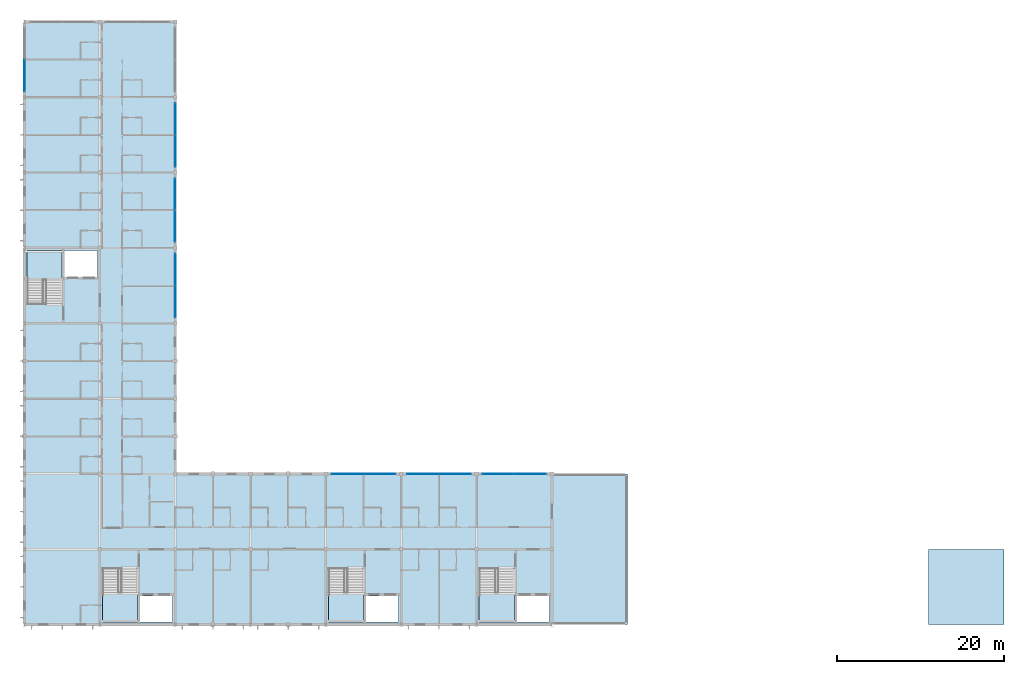
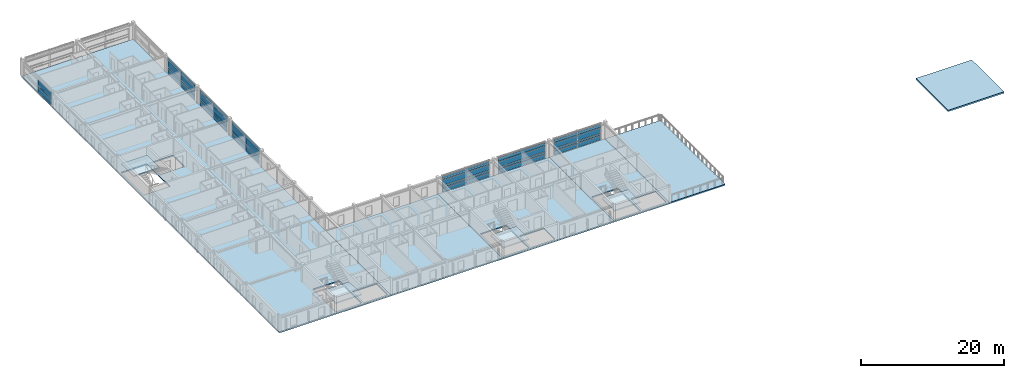
# One storey, part 8 of 24: 51 plates, 10 slabs, 7 elements without a shape of their own.
"""IFC4 building model written with IfcOpenShell, lengths in metres."""

from ifc_helpers import new_model, si_unit, direction, frame, origin, origin_2d, place, context, subcontext, project, spatial, polyline, rectangle, outline, extrude, material, layer, layer_set, type_object, element, aggregate, save


model = new_model("IFC4")

# Units and contexts
model_context = context("Model", 3, precision=1e-05, world=origin(), true_north=direction((0.0, 1.0)))
body_context = subcontext(model_context, "Body", "Model", "MODEL_VIEW")
ifc_project = project(units=[si_unit("LENGTHUNIT", "METRE"), si_unit("AREAUNIT", "SQUARE_METRE"), si_unit("VOLUMEUNIT", "CUBIC_METRE"), si_unit("PLANEANGLEUNIT", "RADIAN"), si_unit("MASSUNIT", "GRAM", prefix="KILO")], contexts=[model_context])

# Site, building, storey
site_placement = place(None, origin())
site = spatial("IfcSite", under=ifc_project, at=site_placement, CompositionType="ELEMENT")
building_placement = place(site_placement, origin())
building = spatial("IfcBuilding", under=site, at=building_placement, Name="Palais des Congres Ocreval", CompositionType="ELEMENT")
storey_placement = place(building_placement, frame((0.0, 0.0, 17.60009765625)))
storey = spatial("IfcBuildingStorey", under=building, at=storey_placement, Name="L05", CompositionType="ELEMENT", Elevation=17.60009765625)

# Curtain wall, plates
ifc_material_1 = material(Name="Anodized bronze aluminium and low-E glass", Category="glass")
curtain_wall_type = type_object("IfcCurtainWallType", Name="Unitised Curtain Wall 7900x2820", PredefinedType="USERDEFINED", material=ifc_material_1)
curtain_wall_1_placement = place(storey_placement, origin())
curtain_wall_1 = element("IfcCurtainWall", 1, at=curtain_wall_1_placement, inside=storey, type_object=curtain_wall_type, Name="Unitised Curtain Wall CW04 L05", ObjectType="UNITISED CURTAIN WALL", PredefinedType="USERDEFINED")
ifc_material_2 = material(Name="Acoustic triple glazing", Category="glass")
ifc_layer_1 = layer(ifc_material_2, 0.0439453125)
ifc_layer_set_1 = layer_set([ifc_layer_1], Name="Acoustic Laminated Glazing Panel 44 (Acoustic triple glazing)")
plate_type_1 = type_object("IfcPlateType", Name="Acoustic Laminated Glazing Panel 44", PredefinedType="CURTAIN_PANEL", material=ifc_layer_set_1)
plate_1_placement = place(storey_placement, frame((18.0, 51.407470703125, 0.059814453125), z_axis=(0.0, 0.0, 1.0), x_axis=(0.0, -1.0, 0.0)))
plate_1 = element("IfcPlate", 2, at=plate_1_placement, type_object=plate_type_1, Name="Vision Glazing Panel VP02", PredefinedType="CURTAIN_PANEL", context=body_context, shape_type="SweptSolid", body=[
    extrude(rectangle(XDim=3.7451171875, YDim=0.0439453125, at=origin_2d()), origin(), (0.0, 0.0, 1.0), 0.68994140625),
])
plate_2_placement = place(storey_placement, frame((18.0, 51.407470703125, 0.81005859375), z_axis=(0.0, 0.0, 1.0), x_axis=(0.0, -1.0, 0.0)))
plate_2 = element("IfcPlate", 3, at=plate_2_placement, type_object=plate_type_1, Name="Vision Glazing Panel VP02", PredefinedType="CURTAIN_PANEL", context=body_context, shape_type="SweptSolid", body=[
    extrude(rectangle(XDim=3.7451171875, YDim=0.0439453125, at=origin_2d()), origin(), (0.0, 0.0, 1.0), 0.353515625),
])
plate_3_placement = place(storey_placement, frame((18.0, 51.407470703125, 1.223388671875), z_axis=(0.0, 0.0, 1.0), x_axis=(0.0, -1.0, 0.0)))
plate_3 = element("IfcPlate", 4, at=plate_3_placement, type_object=plate_type_1, Name="Vision Glazing Panel VP02", PredefinedType="CURTAIN_PANEL", context=body_context, shape_type="SweptSolid", body=[
    extrude(rectangle(XDim=3.7451171875, YDim=0.0439453125, at=origin_2d()), origin(), (0.0, 0.0, 1.0), 0.91650390625),
])
plate_4_placement = place(storey_placement, frame((18.0, 47.592529296875, 0.059814453125), z_axis=(0.0, 0.0, 1.0), x_axis=(0.0, -1.0, 0.0)))
plate_4 = element("IfcPlate", 5, at=plate_4_placement, type_object=plate_type_1, Name="Vision Glazing Panel VP02", PredefinedType="CURTAIN_PANEL", context=body_context, shape_type="SweptSolid", body=[
    extrude(rectangle(XDim=3.7451171875, YDim=0.0439453125, at=origin_2d()), origin(), (0.0, 0.0, 1.0), 0.68994140625),
])
plate_5_placement = place(storey_placement, frame((18.0, 47.592529296875, 0.81005859375), z_axis=(0.0, 0.0, 1.0), x_axis=(0.0, -1.0, 0.0)))
plate_5 = element("IfcPlate", 6, at=plate_5_placement, type_object=plate_type_1, Name="Vision Glazing Panel VP02", PredefinedType="CURTAIN_PANEL", context=body_context, shape_type="SweptSolid", body=[
    extrude(rectangle(XDim=3.7451171875, YDim=0.0439453125, at=origin_2d()), origin(), (0.0, 0.0, 1.0), 0.353515625),
])
plate_6_placement = place(storey_placement, frame((18.0, 47.592529296875, 1.223388671875), z_axis=(0.0, 0.0, 1.0), x_axis=(0.0, -1.0, 0.0)))
plate_6 = element("IfcPlate", 7, at=plate_6_placement, type_object=plate_type_1, Name="Vision Glazing Panel VP02", PredefinedType="CURTAIN_PANEL", context=body_context, shape_type="SweptSolid", body=[
    extrude(rectangle(XDim=3.7451171875, YDim=0.0439453125, at=origin_2d()), origin(), (0.0, 0.0, 1.0), 0.91650390625),
])

curtain_wall_2_placement = place(storey_placement, origin())
curtain_wall_2 = element("IfcCurtainWall", 8, at=curtain_wall_2_placement, inside=storey, type_object=curtain_wall_type, Name="Unitised Curtain Wall CW04 L05", ObjectType="UNITISED CURTAIN WALL", PredefinedType="USERDEFINED")
plate_7_placement = place(storey_placement, frame((47.59130859375, 18.0, 0.059814453125), z_axis=(0.0, 0.0, 1.0), x_axis=(1.0, 0.0, 0.0)))
plate_7 = element("IfcPlate", 9, at=plate_7_placement, type_object=plate_type_1, Name="Vision Glazing Panel VP02", PredefinedType="CURTAIN_PANEL", context=body_context, shape_type="SweptSolid", body=[
    extrude(rectangle(XDim=3.75244140625, YDim=0.0439453125, at=origin_2d()), origin(), (0.0, 0.0, 1.0), 0.68994140625),
])
plate_8_placement = place(storey_placement, frame((47.59130859375, 18.0, 0.81005859375), z_axis=(0.0, 0.0, 1.0), x_axis=(1.0, 0.0, 0.0)))
plate_8 = element("IfcPlate", 10, at=plate_8_placement, type_object=plate_type_1, Name="Vision Glazing Panel VP02", PredefinedType="CURTAIN_PANEL", context=body_context, shape_type="SweptSolid", body=[
    extrude(rectangle(XDim=3.75244140625, YDim=0.0439453125, at=origin_2d()), origin(), (0.0, 0.0, 1.0), 0.353515625),
])
plate_9_placement = place(storey_placement, frame((47.59130859375, 18.0, 1.223388671875), z_axis=(0.0, 0.0, 1.0), x_axis=(1.0, 0.0, 0.0)))
plate_9 = element("IfcPlate", 11, at=plate_9_placement, type_object=plate_type_1, Name="Vision Glazing Panel VP02", PredefinedType="CURTAIN_PANEL", context=body_context, shape_type="SweptSolid", body=[
    extrude(rectangle(XDim=3.75244140625, YDim=0.0439453125, at=origin_2d()), origin(), (0.0, 0.0, 1.0), 0.91650390625),
])
plate_10_placement = place(storey_placement, frame((51.40869140625, 18.0, 0.059814453125), z_axis=(0.0, 0.0, 1.0), x_axis=(1.0, 0.0, 0.0)))
plate_10 = element("IfcPlate", 12, at=plate_10_placement, type_object=plate_type_1, Name="Vision Glazing Panel VP02", PredefinedType="CURTAIN_PANEL", context=body_context, shape_type="SweptSolid", body=[
    extrude(rectangle(XDim=3.75244140625, YDim=0.0439453125, at=origin_2d()), origin(), (0.0, 0.0, 1.0), 0.68994140625),
])
plate_11_placement = place(storey_placement, frame((51.40869140625, 18.0, 0.81005859375), z_axis=(0.0, 0.0, 1.0), x_axis=(1.0, 0.0, 0.0)))
plate_11 = element("IfcPlate", 13, at=plate_11_placement, type_object=plate_type_1, Name="Vision Glazing Panel VP02", PredefinedType="CURTAIN_PANEL", context=body_context, shape_type="SweptSolid", body=[
    extrude(rectangle(XDim=3.75244140625, YDim=0.0439453125, at=origin_2d()), origin(), (0.0, 0.0, 1.0), 0.353515625),
])
plate_12_placement = place(storey_placement, frame((51.40869140625, 18.0, 1.223388671875), z_axis=(0.0, 0.0, 1.0), x_axis=(1.0, 0.0, 0.0)))
plate_12 = element("IfcPlate", 14, at=plate_12_placement, type_object=plate_type_1, Name="Vision Glazing Panel VP02", PredefinedType="CURTAIN_PANEL", context=body_context, shape_type="SweptSolid", body=[
    extrude(rectangle(XDim=3.75244140625, YDim=0.0439453125, at=origin_2d()), origin(), (0.0, 0.0, 1.0), 0.91650390625),
])

# Plate
ifc_material_3 = material(Name="Anodized bronze aluminium", Category="aluminium")
ifc_layer_2 = layer(ifc_material_3, 0.06005859375)
ifc_layer_set_2 = layer_set([ifc_layer_2], Name="Anodized Bronze Spandrel Cassette 60 (Anodized bronze aluminium)")
plate_type_2 = type_object("IfcPlateType", Name="Anodized Bronze Spandrel Cassette 60", PredefinedType="SHEET", material=ifc_layer_set_2)
plate_13_placement = place(storey_placement, frame((18.0, 51.407470703125, 2.199951171875), z_axis=(0.0, 0.0, 1.0), x_axis=(0.0, -1.0, 0.0)))
plate_13 = element("IfcPlate", 15, at=plate_13_placement, type_object=plate_type_2, Name="Spandrel Sheet SPN1", PredefinedType="SHEET", context=body_context, shape_type="SweptSolid", body=[
    extrude(rectangle(XDim=3.7451171875, YDim=0.06005859375, at=origin_2d()), origin(), (0.0, 0.0, 1.0), 0.56005859375),
])

plate_14_placement = place(storey_placement, frame((18.0, 47.592529296875, 2.199951171875), z_axis=(0.0, 0.0, 1.0), x_axis=(0.0, -1.0, 0.0)))
plate_14 = element("IfcPlate", 16, at=plate_14_placement, type_object=plate_type_2, Name="Spandrel Sheet SPN1", PredefinedType="SHEET", context=body_context, shape_type="SweptSolid", body=[
    extrude(rectangle(XDim=3.7451171875, YDim=0.06005859375, at=origin_2d()), origin(), (0.0, 0.0, 1.0), 0.56005859375),
])

aggregate(curtain_wall_1, [plate_1, plate_2, plate_3, plate_13, plate_4, plate_5, plate_6, plate_14])

# Curtain wall, plates
curtain_wall_3_placement = place(storey_placement, origin())
curtain_wall_3 = element("IfcCurtainWall", 17, at=curtain_wall_3_placement, inside=storey, type_object=curtain_wall_type, Name="Unitised Curtain Wall CW04 L05", ObjectType="UNITISED CURTAIN WALL", PredefinedType="USERDEFINED")
plate_15_placement = place(storey_placement, frame((38.592529296875, 18.0, 2.199951171875), z_axis=(0.0, 0.0, 1.0), x_axis=(1.0, 0.0, 0.0)))
plate_15 = element("IfcPlate", 18, at=plate_15_placement, type_object=plate_type_2, Name="Spandrel Sheet SPN1", PredefinedType="SHEET", context=body_context, shape_type="SweptSolid", body=[
    extrude(rectangle(XDim=3.7451171875, YDim=0.06005859375, at=origin_2d()), origin(), (0.0, 0.0, 1.0), 0.56005859375),
])
plate_16_placement = place(storey_placement, frame((42.407470703125, 18.0, 2.199951171875), z_axis=(0.0, 0.0, 1.0), x_axis=(1.0, 0.0, 0.0)))
plate_16 = element("IfcPlate", 19, at=plate_16_placement, type_object=plate_type_2, Name="Spandrel Sheet SPN1", PredefinedType="SHEET", context=body_context, shape_type="SweptSolid", body=[
    extrude(rectangle(XDim=3.7451171875, YDim=0.06005859375, at=origin_2d()), origin(), (0.0, 0.0, 1.0), 0.56005859375),
])

curtain_wall_4_placement = place(storey_placement, origin())
curtain_wall_4 = element("IfcCurtainWall", 20, at=curtain_wall_4_placement, inside=storey, type_object=curtain_wall_type, Name="Unitised Curtain Wall CW04 L05", ObjectType="UNITISED CURTAIN WALL", PredefinedType="USERDEFINED")
plate_17_placement = place(storey_placement, frame((56.592529296875, 18.0, 2.199951171875), z_axis=(0.0, 0.0, 1.0), x_axis=(1.0, 0.0, 0.0)))
plate_17 = element("IfcPlate", 21, at=plate_17_placement, type_object=plate_type_2, Name="Spandrel Sheet SPN1", PredefinedType="SHEET", context=body_context, shape_type="SweptSolid", body=[
    extrude(rectangle(XDim=3.7451171875, YDim=0.06005859375, at=origin_2d()), origin(), (0.0, 0.0, 1.0), 0.56005859375),
])
plate_18_placement = place(storey_placement, frame((60.407470703125, 18.0, 2.199951171875), z_axis=(0.0, 0.0, 1.0), x_axis=(1.0, 0.0, 0.0)))
plate_18 = element("IfcPlate", 22, at=plate_18_placement, type_object=plate_type_2, Name="Spandrel Sheet SPN1", PredefinedType="SHEET", context=body_context, shape_type="SweptSolid", body=[
    extrude(rectangle(XDim=3.7451171875, YDim=0.06005859375, at=origin_2d()), origin(), (0.0, 0.0, 1.0), 0.56005859375),
])

# Slab
ifc_material_4 = material(Name="Concrete C40/50", Category="concrete")
ifc_layer_3 = layer(ifc_material_4, 0.25)
ifc_layer_set_3 = layer_set([ifc_layer_3], Name="Folded and Crown Roof Deck 250 Concrete C40/50")
slab_type_1 = type_object("IfcSlabType", Name="Folded and Crown Roof Deck 250 Concrete C40/50", PredefinedType="ROOF", material=ifc_layer_set_3)
slab_1_placement = place(storey_placement, frame((0.0, 0.0, -0.25)))
element("IfcSlab", 23, at=slab_1_placement, inside=storey, type_object=slab_type_1, Name="Commission Headhouse Roof Deck", PredefinedType="ROOF", context=body_context, shape_type="SweptSolid", body=[
    extrude(outline(polyline([(108.0, 0.0), (108.0, 9.0), (117.0, 9.0), (117.0, 0.0), (108.0, 0.0)])), origin(), (0.0, 0.0, 1.0), 0.25),
])

# Curtain wall, plates
curtain_wall_5_placement = place(storey_placement, origin())
curtain_wall_5 = element("IfcCurtainWall", 24, at=curtain_wall_5_placement, inside=storey, type_object=curtain_wall_type, Name="Unitised Curtain Wall CW04 L05", ObjectType="UNITISED CURTAIN WALL", PredefinedType="USERDEFINED")
ifc_material_5 = material(Name="Low-E solar-control double glazing", Category="glass")
ifc_layer_4 = layer(ifc_material_5, 0.031982421875)
ifc_layer_set_4 = layer_set([ifc_layer_4], Name="Galleria Clear Vision Panel 32 (Low-E solar-control double glazing)")
plate_type_3 = type_object("IfcPlateType", Name="Galleria Clear Vision Panel 32", PredefinedType="CURTAIN_PANEL", material=ifc_layer_set_4)
plate_19_placement = place(storey_placement, frame((0.0, 65.59130859375, 0.059814453125), z_axis=(0.0, 0.0, 1.0), x_axis=(0.0, 1.0, 0.0)))
plate_19 = element("IfcPlate", 25, at=plate_19_placement, type_object=plate_type_3, Name="Vision Glazing Panel VP03", PredefinedType="CURTAIN_PANEL", context=body_context, shape_type="SweptSolid", body=[
    extrude(rectangle(XDim=3.75244140625, YDim=0.031982421875, at=origin_2d()), origin(), (0.0, 0.0, 1.0), 0.68994140625),
])
plate_20_placement = place(storey_placement, frame((0.0, 65.59130859375, 0.81005859375), z_axis=(0.0, 0.0, 1.0), x_axis=(0.0, 1.0, 0.0)))
plate_20 = element("IfcPlate", 26, at=plate_20_placement, type_object=plate_type_3, Name="Vision Glazing Panel VP03", PredefinedType="CURTAIN_PANEL", context=body_context, shape_type="SweptSolid", body=[
    extrude(rectangle(XDim=3.75244140625, YDim=0.031982421875, at=origin_2d()), origin(), (0.0, 0.0, 1.0), 0.353515625),
])
plate_21_placement = place(storey_placement, frame((0.0, 65.59130859375, 1.223388671875), z_axis=(0.0, 0.0, 1.0), x_axis=(0.0, 1.0, 0.0)))
plate_21 = element("IfcPlate", 27, at=plate_21_placement, type_object=plate_type_3, Name="Vision Glazing Panel VP03", PredefinedType="CURTAIN_PANEL", context=body_context, shape_type="SweptSolid", body=[
    extrude(rectangle(XDim=3.75244140625, YDim=0.031982421875, at=origin_2d()), origin(), (0.0, 0.0, 1.0), 0.91650390625),
])
aggregate(curtain_wall_5, [plate_19, plate_20, plate_21])

curtain_wall_6_placement = place(storey_placement, origin())
curtain_wall_6 = element("IfcCurtainWall", 28, at=curtain_wall_6_placement, inside=storey, type_object=curtain_wall_type, Name="Unitised Curtain Wall CW04 L05", ObjectType="UNITISED CURTAIN WALL", PredefinedType="USERDEFINED")
plate_22_placement = place(storey_placement, frame((18.0, 42.40869140625, 0.059814453125), z_axis=(0.0, 0.0, 1.0), x_axis=(0.0, -1.0, 0.0)))
plate_22 = element("IfcPlate", 29, at=plate_22_placement, type_object=plate_type_3, Name="Vision Glazing Panel VP03", PredefinedType="CURTAIN_PANEL", context=body_context, shape_type="SweptSolid", body=[
    extrude(rectangle(XDim=3.75244140625, YDim=0.031982421875, at=origin_2d()), origin(), (0.0, 0.0, 1.0), 0.68994140625),
])
plate_23_placement = place(storey_placement, frame((18.0, 42.40869140625, 0.81005859375), z_axis=(0.0, 0.0, 1.0), x_axis=(0.0, -1.0, 0.0)))
plate_23 = element("IfcPlate", 30, at=plate_23_placement, type_object=plate_type_3, Name="Vision Glazing Panel VP03", PredefinedType="CURTAIN_PANEL", context=body_context, shape_type="SweptSolid", body=[
    extrude(rectangle(XDim=3.75244140625, YDim=0.031982421875, at=origin_2d()), origin(), (0.0, 0.0, 1.0), 0.353515625),
])
plate_24_placement = place(storey_placement, frame((18.0, 42.40869140625, 1.223388671875), z_axis=(0.0, 0.0, 1.0), x_axis=(0.0, -1.0, 0.0)))
plate_24 = element("IfcPlate", 31, at=plate_24_placement, type_object=plate_type_3, Name="Vision Glazing Panel VP03", PredefinedType="CURTAIN_PANEL", context=body_context, shape_type="SweptSolid", body=[
    extrude(rectangle(XDim=3.75244140625, YDim=0.031982421875, at=origin_2d()), origin(), (0.0, 0.0, 1.0), 0.91650390625),
])
plate_25_placement = place(storey_placement, frame((18.0, 38.59130859375, 0.059814453125), z_axis=(0.0, 0.0, 1.0), x_axis=(0.0, -1.0, 0.0)))
plate_25 = element("IfcPlate", 32, at=plate_25_placement, type_object=plate_type_3, Name="Vision Glazing Panel VP03", PredefinedType="CURTAIN_PANEL", context=body_context, shape_type="SweptSolid", body=[
    extrude(rectangle(XDim=3.75244140625, YDim=0.031982421875, at=origin_2d()), origin(), (0.0, 0.0, 1.0), 0.68994140625),
])
plate_26_placement = place(storey_placement, frame((18.0, 38.59130859375, 0.81005859375), z_axis=(0.0, 0.0, 1.0), x_axis=(0.0, -1.0, 0.0)))
plate_26 = element("IfcPlate", 33, at=plate_26_placement, type_object=plate_type_3, Name="Vision Glazing Panel VP03", PredefinedType="CURTAIN_PANEL", context=body_context, shape_type="SweptSolid", body=[
    extrude(rectangle(XDim=3.75244140625, YDim=0.031982421875, at=origin_2d()), origin(), (0.0, 0.0, 1.0), 0.353515625),
])
plate_27_placement = place(storey_placement, frame((18.0, 38.59130859375, 1.223388671875), z_axis=(0.0, 0.0, 1.0), x_axis=(0.0, -1.0, 0.0)))
plate_27 = element("IfcPlate", 34, at=plate_27_placement, type_object=plate_type_3, Name="Vision Glazing Panel VP03", PredefinedType="CURTAIN_PANEL", context=body_context, shape_type="SweptSolid", body=[
    extrude(rectangle(XDim=3.75244140625, YDim=0.031982421875, at=origin_2d()), origin(), (0.0, 0.0, 1.0), 0.91650390625),
])

# Plate
plate_28_placement = place(storey_placement, frame((56.592529296875, 18.0, 0.059814453125), z_axis=(0.0, 0.0, 1.0), x_axis=(1.0, 0.0, 0.0)))
plate_28 = element("IfcPlate", 35, at=plate_28_placement, type_object=plate_type_3, Name="Vision Glazing Panel VP03", PredefinedType="CURTAIN_PANEL", context=body_context, shape_type="SweptSolid", body=[
    extrude(rectangle(XDim=3.7451171875, YDim=0.031982421875, at=origin_2d()), origin(), (0.0, 0.0, 1.0), 0.68994140625),
])

plate_29_placement = place(storey_placement, frame((56.592529296875, 18.0, 0.81005859375), z_axis=(0.0, 0.0, 1.0), x_axis=(1.0, 0.0, 0.0)))
plate_29 = element("IfcPlate", 36, at=plate_29_placement, type_object=plate_type_3, Name="Vision Glazing Panel VP03", PredefinedType="CURTAIN_PANEL", context=body_context, shape_type="SweptSolid", body=[
    extrude(rectangle(XDim=3.7451171875, YDim=0.031982421875, at=origin_2d()), origin(), (0.0, 0.0, 1.0), 0.353515625),
])

plate_30_placement = place(storey_placement, frame((56.592529296875, 18.0, 1.223388671875), z_axis=(0.0, 0.0, 1.0), x_axis=(1.0, 0.0, 0.0)))
plate_30 = element("IfcPlate", 37, at=plate_30_placement, type_object=plate_type_3, Name="Vision Glazing Panel VP03", PredefinedType="CURTAIN_PANEL", context=body_context, shape_type="SweptSolid", body=[
    extrude(rectangle(XDim=3.7451171875, YDim=0.031982421875, at=origin_2d()), origin(), (0.0, 0.0, 1.0), 0.91650390625),
])

plate_31_placement = place(storey_placement, frame((60.407470703125, 18.0, 0.059814453125), z_axis=(0.0, 0.0, 1.0), x_axis=(1.0, 0.0, 0.0)))
plate_31 = element("IfcPlate", 38, at=plate_31_placement, type_object=plate_type_3, Name="Vision Glazing Panel VP03", PredefinedType="CURTAIN_PANEL", context=body_context, shape_type="SweptSolid", body=[
    extrude(rectangle(XDim=3.7451171875, YDim=0.031982421875, at=origin_2d()), origin(), (0.0, 0.0, 1.0), 0.68994140625),
])

plate_32_placement = place(storey_placement, frame((60.407470703125, 18.0, 0.81005859375), z_axis=(0.0, 0.0, 1.0), x_axis=(1.0, 0.0, 0.0)))
plate_32 = element("IfcPlate", 39, at=plate_32_placement, type_object=plate_type_3, Name="Vision Glazing Panel VP03", PredefinedType="CURTAIN_PANEL", context=body_context, shape_type="SweptSolid", body=[
    extrude(rectangle(XDim=3.7451171875, YDim=0.031982421875, at=origin_2d()), origin(), (0.0, 0.0, 1.0), 0.353515625),
])

plate_33_placement = place(storey_placement, frame((60.407470703125, 18.0, 1.223388671875), z_axis=(0.0, 0.0, 1.0), x_axis=(1.0, 0.0, 0.0)))
plate_33 = element("IfcPlate", 40, at=plate_33_placement, type_object=plate_type_3, Name="Vision Glazing Panel VP03", PredefinedType="CURTAIN_PANEL", context=body_context, shape_type="SweptSolid", body=[
    extrude(rectangle(XDim=3.7451171875, YDim=0.031982421875, at=origin_2d()), origin(), (0.0, 0.0, 1.0), 0.91650390625),
])

aggregate(curtain_wall_4, [plate_28, plate_29, plate_30, plate_17, plate_31, plate_32, plate_33, plate_18])

# Curtain wall, plates
curtain_wall_7_placement = place(storey_placement, origin())
curtain_wall_7 = element("IfcCurtainWall", 41, at=curtain_wall_7_placement, inside=storey, type_object=curtain_wall_type, Name="Unitised Curtain Wall CW04 L05", ObjectType="UNITISED CURTAIN WALL", PredefinedType="USERDEFINED")
ifc_layer_5 = layer(ifc_material_5, 0.035888671875)
ifc_layer_set_5 = layer_set([ifc_layer_5], Name="Low-E Vision Glazing Panel 36 (Low-E solar-control double glazing)")
plate_type_4 = type_object("IfcPlateType", Name="Low-E Vision Glazing Panel 36", PredefinedType="CURTAIN_PANEL", material=ifc_layer_set_5)
plate_34_placement = place(storey_placement, frame((18.0, 60.40869140625, 0.059814453125), z_axis=(0.0, 0.0, 1.0), x_axis=(0.0, -1.0, 0.0)))
plate_34 = element("IfcPlate", 42, at=plate_34_placement, type_object=plate_type_4, Name="Vision Glazing Panel VP01", PredefinedType="CURTAIN_PANEL", context=body_context, shape_type="SweptSolid", body=[
    extrude(rectangle(XDim=3.75244140625, YDim=0.035888671875, at=origin_2d()), origin(), (0.0, 0.0, 1.0), 0.68994140625),
])
plate_35_placement = place(storey_placement, frame((18.0, 60.40869140625, 0.81005859375), z_axis=(0.0, 0.0, 1.0), x_axis=(0.0, -1.0, 0.0)))
plate_35 = element("IfcPlate", 43, at=plate_35_placement, type_object=plate_type_4, Name="Vision Glazing Panel VP01", PredefinedType="CURTAIN_PANEL", context=body_context, shape_type="SweptSolid", body=[
    extrude(rectangle(XDim=3.75244140625, YDim=0.035888671875, at=origin_2d()), origin(), (0.0, 0.0, 1.0), 0.353515625),
])
plate_36_placement = place(storey_placement, frame((18.0, 60.40869140625, 1.223388671875), z_axis=(0.0, 0.0, 1.0), x_axis=(0.0, -1.0, 0.0)))
plate_36 = element("IfcPlate", 44, at=plate_36_placement, type_object=plate_type_4, Name="Vision Glazing Panel VP01", PredefinedType="CURTAIN_PANEL", context=body_context, shape_type="SweptSolid", body=[
    extrude(rectangle(XDim=3.75244140625, YDim=0.035888671875, at=origin_2d()), origin(), (0.0, 0.0, 1.0), 0.91650390625),
])
plate_37_placement = place(storey_placement, frame((18.0, 56.59130859375, 0.059814453125), z_axis=(0.0, 0.0, 1.0), x_axis=(0.0, -1.0, 0.0)))
plate_37 = element("IfcPlate", 45, at=plate_37_placement, type_object=plate_type_4, Name="Vision Glazing Panel VP01", PredefinedType="CURTAIN_PANEL", context=body_context, shape_type="SweptSolid", body=[
    extrude(rectangle(XDim=3.75244140625, YDim=0.035888671875, at=origin_2d()), origin(), (0.0, 0.0, 1.0), 0.68994140625),
])
plate_38_placement = place(storey_placement, frame((18.0, 56.59130859375, 0.81005859375), z_axis=(0.0, 0.0, 1.0), x_axis=(0.0, -1.0, 0.0)))
plate_38 = element("IfcPlate", 46, at=plate_38_placement, type_object=plate_type_4, Name="Vision Glazing Panel VP01", PredefinedType="CURTAIN_PANEL", context=body_context, shape_type="SweptSolid", body=[
    extrude(rectangle(XDim=3.75244140625, YDim=0.035888671875, at=origin_2d()), origin(), (0.0, 0.0, 1.0), 0.353515625),
])
plate_39_placement = place(storey_placement, frame((18.0, 56.59130859375, 1.223388671875), z_axis=(0.0, 0.0, 1.0), x_axis=(0.0, -1.0, 0.0)))
plate_39 = element("IfcPlate", 47, at=plate_39_placement, type_object=plate_type_4, Name="Vision Glazing Panel VP01", PredefinedType="CURTAIN_PANEL", context=body_context, shape_type="SweptSolid", body=[
    extrude(rectangle(XDim=3.75244140625, YDim=0.035888671875, at=origin_2d()), origin(), (0.0, 0.0, 1.0), 0.91650390625),
])

# Plate
plate_40_placement = place(storey_placement, frame((38.592529296875, 18.0, 0.059814453125), z_axis=(0.0, 0.0, 1.0), x_axis=(1.0, 0.0, 0.0)))
plate_40 = element("IfcPlate", 48, at=plate_40_placement, type_object=plate_type_4, Name="Vision Glazing Panel VP01", PredefinedType="CURTAIN_PANEL", context=body_context, shape_type="SweptSolid", body=[
    extrude(rectangle(XDim=3.7451171875, YDim=0.035888671875, at=origin_2d()), origin(), (0.0, 0.0, 1.0), 0.68994140625),
])

plate_41_placement = place(storey_placement, frame((38.592529296875, 18.0, 0.81005859375), z_axis=(0.0, 0.0, 1.0), x_axis=(1.0, 0.0, 0.0)))
plate_41 = element("IfcPlate", 49, at=plate_41_placement, type_object=plate_type_4, Name="Vision Glazing Panel VP01", PredefinedType="CURTAIN_PANEL", context=body_context, shape_type="SweptSolid", body=[
    extrude(rectangle(XDim=3.7451171875, YDim=0.035888671875, at=origin_2d()), origin(), (0.0, 0.0, 1.0), 0.353515625),
])

plate_42_placement = place(storey_placement, frame((38.592529296875, 18.0, 1.223388671875), z_axis=(0.0, 0.0, 1.0), x_axis=(1.0, 0.0, 0.0)))
plate_42 = element("IfcPlate", 50, at=plate_42_placement, type_object=plate_type_4, Name="Vision Glazing Panel VP01", PredefinedType="CURTAIN_PANEL", context=body_context, shape_type="SweptSolid", body=[
    extrude(rectangle(XDim=3.7451171875, YDim=0.035888671875, at=origin_2d()), origin(), (0.0, 0.0, 1.0), 0.91650390625),
])

plate_43_placement = place(storey_placement, frame((42.407470703125, 18.0, 0.059814453125), z_axis=(0.0, 0.0, 1.0), x_axis=(1.0, 0.0, 0.0)))
plate_43 = element("IfcPlate", 51, at=plate_43_placement, type_object=plate_type_4, Name="Vision Glazing Panel VP01", PredefinedType="CURTAIN_PANEL", context=body_context, shape_type="SweptSolid", body=[
    extrude(rectangle(XDim=3.7451171875, YDim=0.035888671875, at=origin_2d()), origin(), (0.0, 0.0, 1.0), 0.68994140625),
])

plate_44_placement = place(storey_placement, frame((42.407470703125, 18.0, 0.81005859375), z_axis=(0.0, 0.0, 1.0), x_axis=(1.0, 0.0, 0.0)))
plate_44 = element("IfcPlate", 52, at=plate_44_placement, type_object=plate_type_4, Name="Vision Glazing Panel VP01", PredefinedType="CURTAIN_PANEL", context=body_context, shape_type="SweptSolid", body=[
    extrude(rectangle(XDim=3.7451171875, YDim=0.035888671875, at=origin_2d()), origin(), (0.0, 0.0, 1.0), 0.353515625),
])

plate_45_placement = place(storey_placement, frame((42.407470703125, 18.0, 1.223388671875), z_axis=(0.0, 0.0, 1.0), x_axis=(1.0, 0.0, 0.0)))
plate_45 = element("IfcPlate", 53, at=plate_45_placement, type_object=plate_type_4, Name="Vision Glazing Panel VP01", PredefinedType="CURTAIN_PANEL", context=body_context, shape_type="SweptSolid", body=[
    extrude(rectangle(XDim=3.7451171875, YDim=0.035888671875, at=origin_2d()), origin(), (0.0, 0.0, 1.0), 0.91650390625),
])

aggregate(curtain_wall_3, [plate_40, plate_41, plate_42, plate_15, plate_43, plate_44, plate_45, plate_16])

# Slabs
ifc_layer_6 = layer(ifc_material_4, 0.219970703125)
ifc_layer_set_6 = layer_set([ifc_layer_6], Name="Post-Tensioned Hotel Slab 220 Concrete C40/50")
slab_type_2 = type_object("IfcSlabType", Name="Post-Tensioned Hotel Slab 220 Concrete C40/50", PredefinedType="FLOOR", material=ifc_layer_set_6)
slab_2_placement = place(storey_placement, frame((0.0, 0.0, -0.22021484375)))
element("IfcSlab", 54, at=slab_2_placement, inside=storey, type_object=slab_type_2, Name="Floor Slab SL11 L05 V4-1", PredefinedType="FLOOR", context=body_context, shape_type="SweptSolid", body=[
    extrude(outline(polyline([(0.0, 0.0), (0.0, 18.0), (0.0, 72.0), (18.0, 72.0), (18.0, 18.0), (18.0, 0.0), (0.0, 0.0)]), holes=[polyline([(13.800048828125, 0.300048828125), (17.699951171875, 0.300048828125), (17.699951171875, 3.449951171875), (13.800048828125, 3.449951171875), (13.800048828125, 0.300048828125)]), polyline([(9.300048828125, 0.300048828125), (13.5, 0.300048828125), (13.5, 6.64990234375), (9.300048828125, 6.64990234375), (9.300048828125, 0.300048828125)]), polyline([(0.300048828125, 38.35009765625), (4.5, 38.35009765625), (4.5, 44.699951171875), (0.300048828125, 44.699951171875), (0.300048828125, 38.35009765625)]), polyline([(4.800048828125, 41.550048828125), (8.699951171875, 41.550048828125), (8.699951171875, 44.699951171875), (4.800048828125, 44.699951171875), (4.800048828125, 41.550048828125)])]), origin(), (0.0, 0.0, 1.0), 0.22021484375),
])
slab_3_placement = place(storey_placement, frame((0.0, 0.0, -0.22021484375)))
element("IfcSlab", 55, at=slab_3_placement, inside=storey, type_object=slab_type_2, Name="Floor Slab SL11 L05 V4-2", PredefinedType="FLOOR", context=body_context, shape_type="SweptSolid", body=[
    extrude(outline(polyline([(18.0, 0.0), (18.0, 18.0), (36.0, 18.0), (36.0, 0.0), (18.0, 0.0)])), origin(), (0.0, 0.0, 1.0), 0.22021484375),
])
slab_4_placement = place(storey_placement, frame((0.0, 0.0, -0.22021484375)))
element("IfcSlab", 56, at=slab_4_placement, inside=storey, type_object=slab_type_2, Name="Floor Slab SL11 L05 V4-3", PredefinedType="FLOOR", context=body_context, shape_type="SweptSolid", body=[
    extrude(outline(polyline([(36.0, 0.0), (36.0, 18.0), (54.0, 18.0), (54.0, 0.0), (36.0, 0.0)]), holes=[polyline([(40.800048828125, 0.300048828125), (44.699951171875, 0.300048828125), (44.699951171875, 3.449951171875), (40.800048828125, 3.449951171875), (40.800048828125, 0.300048828125)]), polyline([(36.300048828125, 0.300048828125), (40.5, 0.300048828125), (40.5, 6.64990234375), (36.300048828125, 6.64990234375), (36.300048828125, 0.300048828125)])]), origin(), (0.0, 0.0, 1.0), 0.22021484375),
])
slab_5_placement = place(storey_placement, frame((0.0, 0.0, -0.22021484375)))
element("IfcSlab", 57, at=slab_5_placement, inside=storey, type_object=slab_type_2, Name="Floor Slab SL11 L05 V4-4", PredefinedType="FLOOR", context=body_context, shape_type="SweptSolid", body=[
    extrude(outline(polyline([(54.0, 0.0), (54.0, 18.0), (63.0, 18.0), (63.0, 0.0), (54.0, 0.0)]), holes=[polyline([(58.800048828125, 0.300048828125), (62.699951171875, 0.300048828125), (62.699951171875, 3.449951171875), (58.800048828125, 3.449951171875), (58.800048828125, 0.300048828125)]), polyline([(54.300048828125, 0.300048828125), (58.5, 0.300048828125), (58.5, 6.64990234375), (54.300048828125, 6.64990234375), (54.300048828125, 0.300048828125)])]), origin(), (0.0, 0.0, 1.0), 0.22021484375),
])
slab_6_placement = place(storey_placement, frame((0.0, 0.0, -0.22021484375)))
element("IfcSlab", 58, at=slab_6_placement, inside=storey, type_object=slab_type_2, Name="Hotel East Sunset Terrace", PredefinedType="FLOOR", context=body_context, shape_type="SweptSolid", body=[
    extrude(outline(polyline([(63.0, 0.0), (63.0, 18.0), (72.0, 18.0), (72.0, 0.0), (63.0, 0.0)])), origin(), (0.0, 0.0, 1.0), 0.22021484375),
])
ifc_layer_7 = layer(ifc_material_4, 0.199951171875)
ifc_layer_set_7 = layer_set([ifc_layer_7], Name="Stair and Ramp Landing Slab 200 Concrete C40/50")
slab_type_3 = type_object("IfcSlabType", Name="Stair and Ramp Landing Slab 200 Concrete C40/50", PredefinedType="LANDING", material=ifc_layer_set_7)
slab_7_placement = place(storey_placement, frame((0.0, 0.0, 1.31982421875)))
element("IfcSlab", 59, at=slab_7_placement, inside=storey, type_object=slab_type_3, Name="Stair Half-Landing ST01 L05", PredefinedType="LANDING", context=body_context, shape_type="SweptSolid", body=[
    extrude(outline(polyline([(9.300048828125, 0.300048828125), (13.5, 0.300048828125), (13.5, 3.81494140625), (9.300048828125, 3.81494140625), (9.300048828125, 0.300048828125)])), origin(), (0.0, 0.0, 1.0), 0.2001953125),
])
slab_8_placement = place(storey_placement, frame((0.0, 0.0, 1.31982421875)))
element("IfcSlab", 60, at=slab_8_placement, inside=storey, type_object=slab_type_3, Name="Stair Half-Landing ST02 L05", PredefinedType="LANDING", context=body_context, shape_type="SweptSolid", body=[
    extrude(outline(polyline([(36.300048828125, 0.300048828125), (40.5, 0.300048828125), (40.5, 3.81494140625), (36.300048828125, 3.81494140625), (36.300048828125, 0.300048828125)])), origin(), (0.0, 0.0, 1.0), 0.2001953125),
])
slab_9_placement = place(storey_placement, frame((0.0, 0.0, 1.31982421875)))
element("IfcSlab", 61, at=slab_9_placement, inside=storey, type_object=slab_type_3, Name="Stair Half-Landing ST03 L05", PredefinedType="LANDING", context=body_context, shape_type="SweptSolid", body=[
    extrude(outline(polyline([(0.300048828125, 41.18505859375), (4.5, 41.18505859375), (4.5, 44.699951171875), (0.300048828125, 44.699951171875), (0.300048828125, 41.18505859375)])), origin(), (0.0, 0.0, 1.0), 0.2001953125),
])
slab_10_placement = place(storey_placement, frame((0.0, 0.0, 1.31982421875)))
element("IfcSlab", 62, at=slab_10_placement, inside=storey, type_object=slab_type_3, Name="Stair Half-Landing ST04 L05", PredefinedType="LANDING", context=body_context, shape_type="SweptSolid", body=[
    extrude(outline(polyline([(54.300048828125, 0.300048828125), (58.5, 0.300048828125), (58.5, 3.81494140625), (54.300048828125, 3.81494140625), (54.300048828125, 0.300048828125)])), origin(), (0.0, 0.0, 1.0), 0.2001953125),
])

# Plate
ifc_material_6 = material(Name="Terracotta ceramic spandrel", Category="masonry")
ifc_layer_8 = layer(ifc_material_6, 0.080078125)
ifc_layer_set_8 = layer_set([ifc_layer_8], Name="Terracotta Insulated Spandrel Sheet 80 (Terracotta ceramic spandrel)")
plate_type_5 = type_object("IfcPlateType", Name="Terracotta Insulated Spandrel Sheet 80", PredefinedType="SHEET", material=ifc_layer_set_8)
plate_46_placement = place(storey_placement, frame((18.0, 60.40869140625, 2.199951171875), z_axis=(0.0, 0.0, 1.0), x_axis=(0.0, -1.0, 0.0)))
plate_46 = element("IfcPlate", 63, at=plate_46_placement, type_object=plate_type_5, Name="Spandrel Sheet SPN2", PredefinedType="SHEET", context=body_context, shape_type="SweptSolid", body=[
    extrude(rectangle(XDim=3.75244140625, YDim=0.080078125, at=origin_2d()), origin(), (0.0, 0.0, 1.0), 0.56005859375),
])

plate_47_placement = place(storey_placement, frame((18.0, 56.59130859375, 2.199951171875), z_axis=(0.0, 0.0, 1.0), x_axis=(0.0, -1.0, 0.0)))
plate_47 = element("IfcPlate", 64, at=plate_47_placement, type_object=plate_type_5, Name="Spandrel Sheet SPN2", PredefinedType="SHEET", context=body_context, shape_type="SweptSolid", body=[
    extrude(rectangle(XDim=3.75244140625, YDim=0.080078125, at=origin_2d()), origin(), (0.0, 0.0, 1.0), 0.56005859375),
])

aggregate(curtain_wall_7, [plate_34, plate_35, plate_36, plate_46, plate_37, plate_38, plate_39, plate_47])

plate_48_placement = place(storey_placement, frame((18.0, 42.40869140625, 2.199951171875), z_axis=(0.0, 0.0, 1.0), x_axis=(0.0, -1.0, 0.0)))
plate_48 = element("IfcPlate", 65, at=plate_48_placement, type_object=plate_type_5, Name="Spandrel Sheet SPN2", PredefinedType="SHEET", context=body_context, shape_type="SweptSolid", body=[
    extrude(rectangle(XDim=3.75244140625, YDim=0.080078125, at=origin_2d()), origin(), (0.0, 0.0, 1.0), 0.56005859375),
])

plate_49_placement = place(storey_placement, frame((18.0, 38.59130859375, 2.199951171875), z_axis=(0.0, 0.0, 1.0), x_axis=(0.0, -1.0, 0.0)))
plate_49 = element("IfcPlate", 66, at=plate_49_placement, type_object=plate_type_5, Name="Spandrel Sheet SPN2", PredefinedType="SHEET", context=body_context, shape_type="SweptSolid", body=[
    extrude(rectangle(XDim=3.75244140625, YDim=0.080078125, at=origin_2d()), origin(), (0.0, 0.0, 1.0), 0.56005859375),
])

aggregate(curtain_wall_6, [plate_22, plate_23, plate_24, plate_48, plate_25, plate_26, plate_27, plate_49])

plate_50_placement = place(storey_placement, frame((47.59130859375, 18.0, 2.199951171875), z_axis=(0.0, 0.0, 1.0), x_axis=(1.0, 0.0, 0.0)))
plate_50 = element("IfcPlate", 67, at=plate_50_placement, type_object=plate_type_5, Name="Spandrel Sheet SPN2", PredefinedType="SHEET", context=body_context, shape_type="SweptSolid", body=[
    extrude(rectangle(XDim=3.75244140625, YDim=0.080078125, at=origin_2d()), origin(), (0.0, 0.0, 1.0), 0.56005859375),
])

plate_51_placement = place(storey_placement, frame((51.40869140625, 18.0, 2.199951171875), z_axis=(0.0, 0.0, 1.0), x_axis=(1.0, 0.0, 0.0)))
plate_51 = element("IfcPlate", 68, at=plate_51_placement, type_object=plate_type_5, Name="Spandrel Sheet SPN2", PredefinedType="SHEET", context=body_context, shape_type="SweptSolid", body=[
    extrude(rectangle(XDim=3.75244140625, YDim=0.080078125, at=origin_2d()), origin(), (0.0, 0.0, 1.0), 0.56005859375),
])

aggregate(curtain_wall_2, [plate_7, plate_8, plate_9, plate_50, plate_10, plate_11, plate_12, plate_51])

save(model, "model.ifc")
